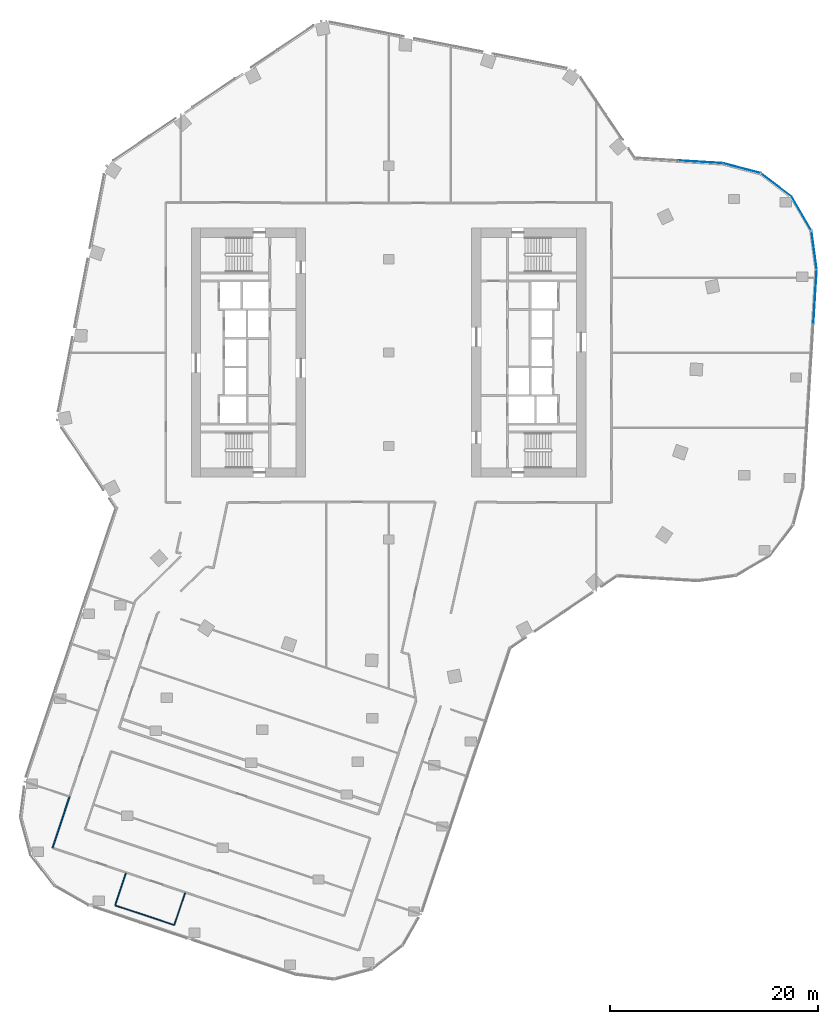
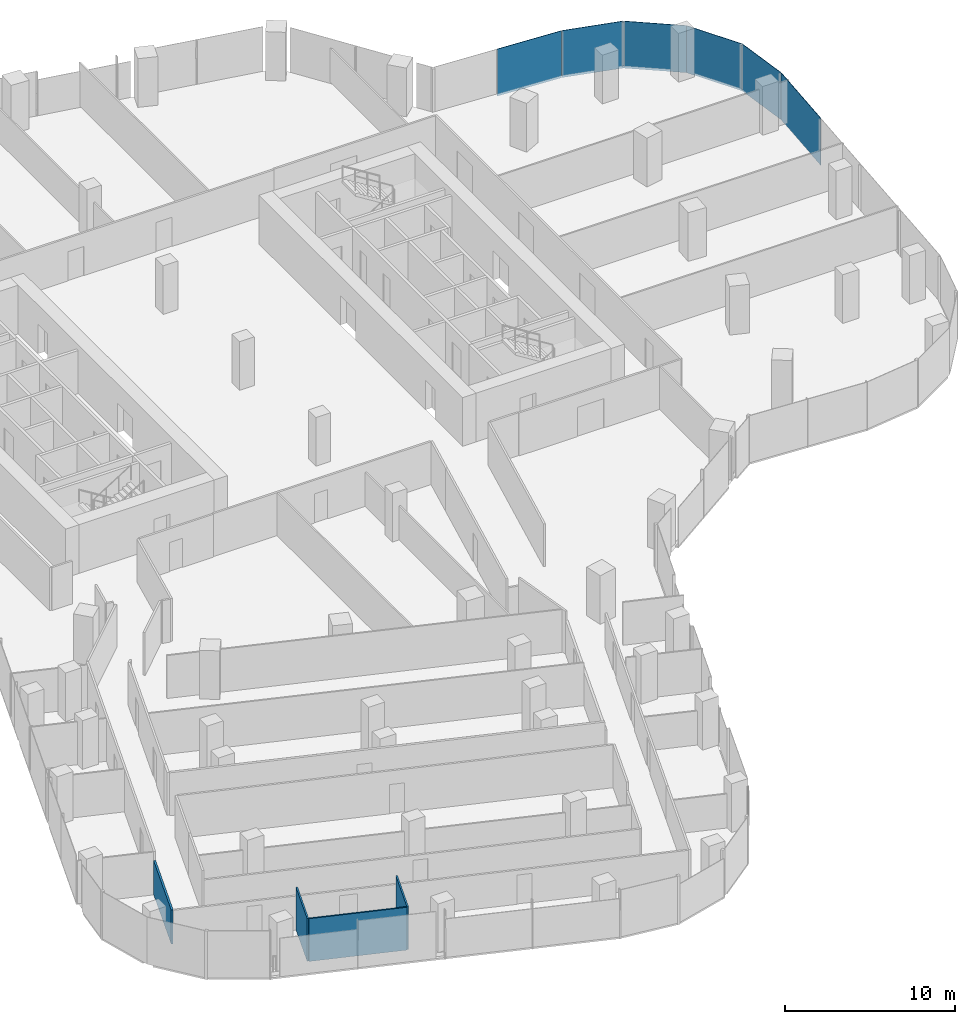
# One storey, part 18 of 25: 6 plates, 4 walls, 6 elements without a shape of their own.
"""IFC4 building model written with IfcOpenShell, lengths in metres."""

from ifc_helpers import new_model, si_unit, direction, frame, frame_2d, origin, origin_2d, place, context, subcontext, project, spatial, rectangle, extrude, material, layer, layer_set, type_object, element, aggregate, save


model = new_model("IFC4")

# Units and contexts
model_context = context("Model", 3, precision=1e-05, world=origin(), true_north=direction((0.0, 1.0)))
body_context = subcontext(model_context, "Body", "Model", "MODEL_VIEW")
ifc_project = project(units=[si_unit("LENGTHUNIT", "METRE"), si_unit("AREAUNIT", "SQUARE_METRE"), si_unit("VOLUMEUNIT", "CUBIC_METRE"), si_unit("PLANEANGLEUNIT", "RADIAN"), si_unit("MASSUNIT", "GRAM", prefix="KILO")], contexts=[model_context])

# Site, building, storey
site_placement = place(None, origin())
site = spatial("IfcSite", under=ifc_project, at=site_placement, CompositionType="ELEMENT")
building_placement = place(site_placement, origin())
building = spatial("IfcBuilding", under=site, at=building_placement, Name="Orlundy Tower", CompositionType="ELEMENT")
storey_placement = place(building_placement, frame((0.0, 0.0, 159.60009765625)))
storey = spatial("IfcBuildingStorey", under=building, at=storey_placement, Name="L41", CompositionType="ELEMENT", Elevation=159.60009765625)

# Curtain wall, plate
ifc_material_1 = material(Name="Aluminium bronze anodised", Category="aluminium")
curtain_wall_type = type_object("IfcCurtainWallType", Name="CW1 wall", PredefinedType="NOTDEFINED", material=ifc_material_1)
curtain_wall_1_placement = place(storey_placement, origin())
curtain_wall_1 = element("IfcCurtainWall", 1, at=curtain_wall_1_placement, inside=storey, type_object=curtain_wall_type, Name="CW1 run 06", PredefinedType="NOTDEFINED")
ifc_material_2 = material(Name="Tinted glass", Category="glass")
ifc_layer_1 = layer(ifc_material_2, 0.031982421875)
ifc_layer_set_1 = layer_set([ifc_layer_1], Name="CW1 glass panel 32")
plate_type = type_object("IfcPlateType", Name="CW1 glass panel 32", PredefinedType="CURTAIN_PANEL", material=ifc_layer_set_1)
plate_1_placement = place(storey_placement, frame((30.052001953125, 18.363525390625, -0.280029296875), z_axis=(0.0, 0.0, 1.0), x_axis=(0.998133804651, -0.061064785376, 0.0)))
plate_1 = element("IfcPlate", 2, at=plate_1_placement, type_object=plate_type, Name="CW1 panel", PredefinedType="CURTAIN_PANEL", context=body_context, shape_type="SweptSolid", body=[
    extrude(rectangle(XDim=4.23193359375, YDim=0.031982421875, at=origin_2d()), origin(), (0.0, 0.0, 1.0), 3.3798828125),
])
aggregate(curtain_wall_1, [plate_1])

curtain_wall_2_placement = place(storey_placement, origin())
curtain_wall_2 = element("IfcCurtainWall", 3, at=curtain_wall_2_placement, inside=storey, type_object=curtain_wall_type, Name="CW1 run 07", PredefinedType="NOTDEFINED")
plate_2_placement = place(storey_placement, frame((34.017333984375, 17.751220703125, -0.280029296875), z_axis=(0.0, 0.0, 1.0), x_axis=(0.967036091053, -0.254639350065, 0.0)))
plate_2 = element("IfcPlate", 4, at=plate_2_placement, type_object=plate_type, Name="CW1 panel", PredefinedType="CURTAIN_PANEL", context=body_context, shape_type="SweptSolid", body=[
    extrude(rectangle(XDim=3.73095703125, YDim=0.031982421875, at=origin_2d()), origin(), (0.0, 0.0, 1.0), 3.3798828125),
])
aggregate(curtain_wall_2, [plate_2])

curtain_wall_3_placement = place(storey_placement, origin())
curtain_wall_3 = element("IfcCurtainWall", 5, at=curtain_wall_3_placement, inside=storey, type_object=curtain_wall_type, Name="CW1 run 08", PredefinedType="NOTDEFINED")
plate_3_placement = place(storey_placement, frame((37.322265625, 16.135009765625, -0.280029296875), z_axis=(0.0, 0.0, 1.0), x_axis=(0.796032181149, -0.605254299097, 0.0)))
plate_3 = element("IfcPlate", 6, at=plate_3_placement, type_object=plate_type, Name="CW1 panel", PredefinedType="CURTAIN_PANEL", context=body_context, shape_type="SweptSolid", body=[
    extrude(rectangle(XDim=3.77099609375, YDim=0.031982421875, at=origin_2d()), origin(), (0.0, 0.0, 1.0), 3.3798828125),
])
aggregate(curtain_wall_3, [plate_3])

curtain_wall_4_placement = place(storey_placement, origin())
curtain_wall_4 = element("IfcCurtainWall", 7, at=curtain_wall_4_placement, inside=storey, type_object=curtain_wall_type, Name="CW1 run 09", PredefinedType="NOTDEFINED")
plate_4_placement = place(storey_placement, frame((39.773681640625, 13.364501953125, -0.280029296875), z_axis=(0.0, 0.0, 1.0), x_axis=(0.503904569951, -0.863759332443, 0.0)))
plate_4 = element("IfcPlate", 8, at=plate_4_placement, type_object=plate_type, Name="CW1 panel", PredefinedType="CURTAIN_PANEL", context=body_context, shape_type="SweptSolid", body=[
    extrude(rectangle(XDim=3.772216796875, YDim=0.031982421875, at=origin_2d()), origin(), (0.0, 0.0, 1.0), 3.3798828125),
])
aggregate(curtain_wall_4, [plate_4])

curtain_wall_5_placement = place(storey_placement, origin())
curtain_wall_5 = element("IfcCurtainWall", 9, at=curtain_wall_5_placement, inside=storey, type_object=curtain_wall_type, Name="CW1 run 010", PredefinedType="NOTDEFINED")
plate_5_placement = place(storey_placement, frame((40.97509765625, 9.88720703125, -0.280029296875), z_axis=(0.0, 0.0, 1.0), x_axis=(0.134619596829, -0.990897352983, 0.0)))
plate_5 = element("IfcPlate", 10, at=plate_5_placement, type_object=plate_type, Name="CW1 panel", PredefinedType="CURTAIN_PANEL", context=body_context, shape_type="SweptSolid", body=[
    extrude(rectangle(XDim=3.73046875, YDim=0.031982421875, at=origin_2d()), origin(), (0.0, 0.0, 1.0), 3.3798828125),
])
aggregate(curtain_wall_5, [plate_5])

curtain_wall_6_placement = place(storey_placement, origin())
curtain_wall_6 = element("IfcCurtainWall", 11, at=curtain_wall_6_placement, inside=storey, type_object=curtain_wall_type, Name="CW1 run 011", PredefinedType="NOTDEFINED")
plate_6_placement = place(storey_placement, frame((41.06884765625, 5.3857421875, -0.280029296875), z_axis=(0.0, 0.0, 1.0), x_axis=(-0.061047131434, -0.998134884544, 0.0)))
plate_6 = element("IfcPlate", 12, at=plate_6_placement, type_object=plate_type, Name="CW1 panel", PredefinedType="CURTAIN_PANEL", context=body_context, shape_type="SweptSolid", body=[
    extrude(rectangle(XDim=5.216064453125, YDim=0.031982421875, at=origin_2d()), origin(), (0.0, 0.0, 1.0), 3.3798828125),
])
aggregate(curtain_wall_6, [plate_6])

# Walls
ifc_material_3 = material(Name="Gypsum board partition")
ifc_layer_2 = layer(ifc_material_3, 0.10009765625)
ifc_layer_set_2 = layer_set([ifc_layer_2], Name="Floor partition 100")
wall_type_1 = type_object("IfcWallType", Name="Floor partition 100", PredefinedType="PARTITIONING", material=ifc_layer_set_2)
wall_1_placement = place(storey_placement, frame((-26.281005859375, -53.2451171875, 0.0), z_axis=(0.0, 0.0, 1.0), x_axis=(0.948351779966, -0.317220587976, 0.0)))
element("IfcWall", 13, at=wall_1_placement, inside=storey, type_object=wall_type_1, Name="wall-int-L41-002", PredefinedType="PARTITIONING", context=body_context, shape_type="SweptSolid", body=[
    extrude(rectangle(XDim=5.900634765625, YDim=0.10009765625, at=frame_2d((2.9501953125, 0.0))), origin(), (0.0, 0.0, 1.0), 3.079833984375),
])
wall_2_placement = place(storey_placement, frame((-20.636962890625, -55.132080078125, 0.0), z_axis=(0.0, 0.0, 1.0), x_axis=(0.316922325985, 0.948451495487, 0.0)))
element("IfcWall", 14, at=wall_2_placement, inside=storey, type_object=wall_type_1, Name="wall-int-L41-042", PredefinedType="PARTITIONING", context=body_context, shape_type="SweptSolid", body=[
    extrude(rectangle(XDim=3.2685546875, YDim=0.10009765625, at=frame_2d((1.63427734375, 0.0))), origin(), (0.0, 0.0, 1.0), 3.079833984375),
])
wall_3_placement = place(storey_placement, frame((-26.327880859375, -53.22802734375, 0.0), z_axis=(0.0, 0.0, 1.0), x_axis=(0.317191051156, 0.948361659425, 0.0)))
element("IfcWall", 15, at=wall_3_placement, inside=storey, type_object=wall_type_1, Name="wall-int-L41-043", PredefinedType="PARTITIONING", context=body_context, shape_type="SweptSolid", body=[
    extrude(rectangle(XDim=3.268798828125, YDim=0.10009765625, at=frame_2d((1.63427734375, 0.0))), origin(), (0.0, 0.0, 1.0), 3.079833984375),
])
ifc_material_4 = material(Name="Gypsum board partition, double layer")
ifc_layer_3 = layer(ifc_material_4, 0.125)
ifc_layer_set_3 = layer_set([ifc_layer_3], Name="Floor partition 125 B")
wall_type_2 = type_object("IfcWallType", Name="Floor partition 125 B", PredefinedType="PARTITIONING", material=ifc_layer_set_3)
wall_4_placement = place(storey_placement, frame((-30.715087890625, -42.764892578125, 0.0), z_axis=(0.0, 0.0, 1.0), x_axis=(-0.31696020199, -0.948438838489, 0.0)))
element("IfcWall", 16, at=wall_4_placement, inside=storey, type_object=wall_type_2, Name="wall-int-L41-049", PredefinedType="PARTITIONING", context=body_context, shape_type="SweptSolid", body=[
    extrude(rectangle(XDim=5.19921875, YDim=0.125, at=frame_2d((2.599609375, 0.0))), origin(), (0.0, 0.0, 1.0), 2.44482421875),
])

save(model, "model.ifc")
